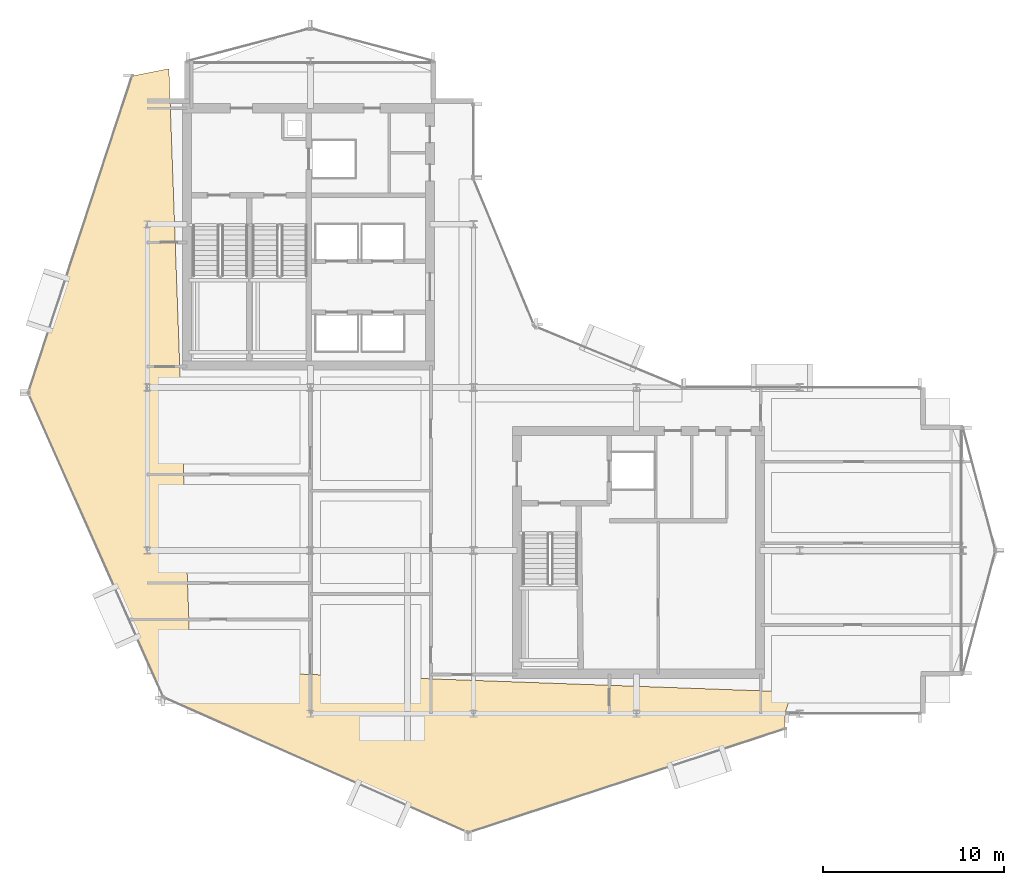
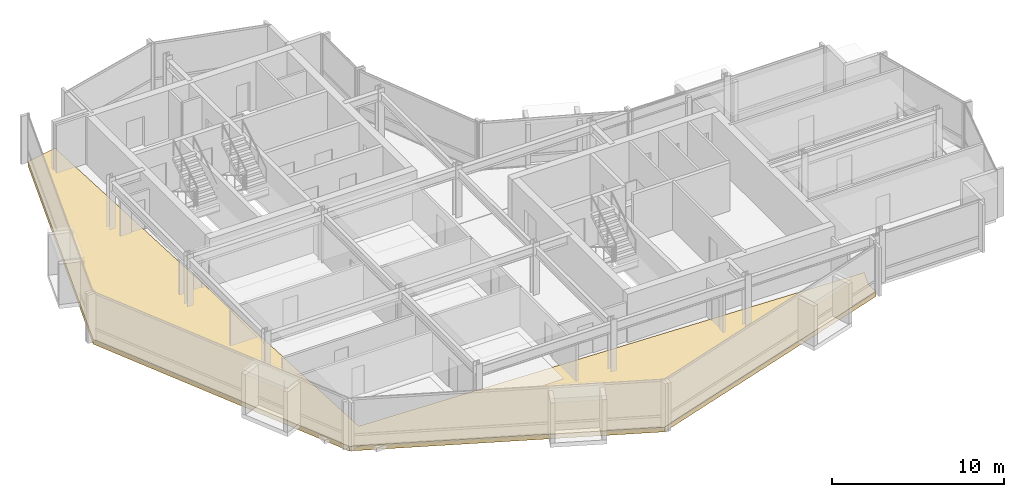
# One storey, part 25 of 28: 1 covering.
"""IFC4 building model written with IfcOpenShell, lengths in metres."""

from ifc_helpers import new_model, si_unit, direction, frame, origin, place, context, subcontext, project, spatial, polyline, outline, extrude, material, layer, layer_set, type_object, element, save


model = new_model("IFC4")

# Units and contexts
model_context = context("Model", 3, precision=1e-05, world=origin(), true_north=direction((0.0, 1.0)))
body_context = subcontext(model_context, "Body", "Model", "MODEL_VIEW")
ifc_project = project(units=[si_unit("LENGTHUNIT", "METRE"), si_unit("AREAUNIT", "SQUARE_METRE"), si_unit("VOLUMEUNIT", "CUBIC_METRE"), si_unit("PLANEANGLEUNIT", "RADIAN"), si_unit("MASSUNIT", "GRAM", prefix="KILO")], contexts=[model_context])

# Site, building, storey
site_placement = place(None, origin())
site = spatial("IfcSite", under=ifc_project, at=site_placement, CompositionType="ELEMENT")
building_placement = place(site_placement, origin())
building = spatial("IfcBuilding", under=site, at=building_placement, Name="Solvaryn Broadcast Tower", CompositionType="ELEMENT")
storey_placement = place(building_placement, frame((0.0, 0.0, 217.300048828125)))
storey = spatial("IfcBuildingStorey", under=building, at=storey_placement, Name="L54", CompositionType="ELEMENT", Elevation=217.300048828125)

# Covering
ifc_material = material(Name="Sculpted Architectural Terracotta Wave Fascia", Category="masonry")
ifc_layer = layer(ifc_material, 0.340087890625)
ifc_layer_set = layer_set([ifc_layer], Name="CV-WAVE-TRAY")
covering_type = type_object("IfcCoveringType", Name="CV-WAVE-TRAY", PredefinedType="CLADDING", material=ifc_layer_set)
covering_placement = place(storey_placement, frame((0.0, 0.0, -0.300048828125)))
element("IfcCovering", 1, at=covering_placement, inside=storey, type_object=covering_type, Name="L54 Stepped Cylindrical Drum Floor Apron", PredefinedType="CLADDING", context=body_context, shape_type="SweptSolid", body=[
    extrude(outline(polyline([(10.199951171875, 44.58203125), (8.1630859375, 44.181884765625), (2.43310546875, 26.7060546875), (9.89794921875, 9.89794921875), (26.7060546875, 2.43310546875), (44.181884765625, 8.1630859375), (44.181884765625, 9.0), (44.58203125, 10.199951171875), (11.39990234375, 11.39990234375), (10.199951171875, 44.58203125)])), origin(), (0.0, 0.0, 1.0), 0.330078125),
])

save(model, "model.ifc")
